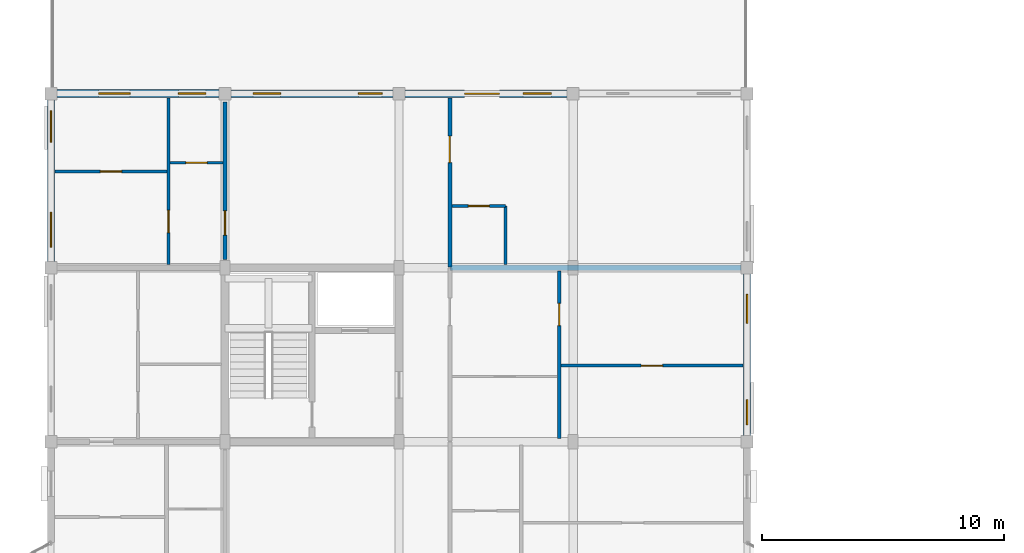
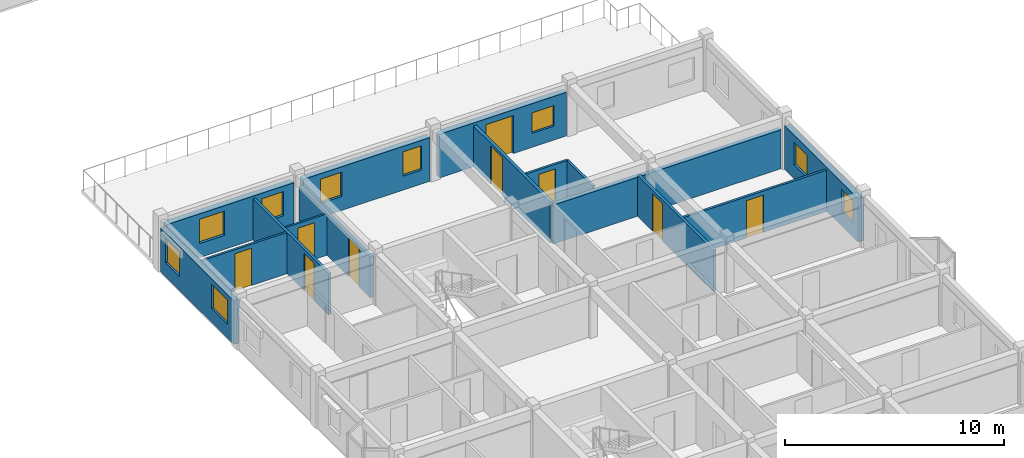
# One storey, part 49 of 70: 15 walls, 9 doors, 9 windows, 18 openings.
"""IFC4 building model written with IfcOpenShell, lengths in metres."""

from ifc_helpers import new_model, si_unit, direction, frame, frame_2d, origin, place, context, subcontext, project, spatial, rectangle, extrude, material, layer, layer_set, type_object, element, fill, save


model = new_model("IFC4")

# Units and contexts
model_context = context("Model", 3, precision=1e-05, world=origin(), true_north=direction((0.0, 1.0)))
body_context = subcontext(model_context, "Body", "Model", "MODEL_VIEW")
ifc_project = project(units=[si_unit("LENGTHUNIT", "METRE"), si_unit("AREAUNIT", "SQUARE_METRE"), si_unit("VOLUMEUNIT", "CUBIC_METRE"), si_unit("PLANEANGLEUNIT", "RADIAN"), si_unit("MASSUNIT", "GRAM", prefix="KILO"), si_unit("THERMODYNAMICTEMPERATUREUNIT", "KELVIN"), si_unit("POWERUNIT", "WATT")], contexts=[model_context])

# Site, building, storey
site_placement = place(None, origin())
site = spatial("IfcSite", under=ifc_project, at=site_placement, CompositionType="ELEMENT")
building_placement = place(site_placement, origin())
building = spatial("IfcBuilding", under=site, at=building_placement, Name="Tavuni Mirador Residences", CompositionType="ELEMENT")
storey_placement = place(building_placement, frame((0.0, 0.0, 23.39990234375)))
storey = spatial("IfcBuildingStorey", under=building, at=storey_placement, Name="L07", CompositionType="ELEMENT", Elevation=23.39990234375)

# Wall, opening, door
ifc_material_1 = material(Name="Precast concrete C40/50", Category="concrete")
ifc_layer_1 = layer(ifc_material_1, 0.1650390625, Name="Precast concrete C40/50", Category="concrete")
ifc_layer_set_1 = layer_set([ifc_layer_1], Name="Precast concrete C40/50")
wall_type_1 = type_object("IfcWallType", Name="WT-CORR165", PredefinedType="PARTITIONING", material=ifc_layer_set_1)
wall_1_placement = place(storey_placement, frame((20.10009765625, 36.02001953125, 0.0), z_axis=(0.0, 0.0, 1.0), x_axis=(0.0, 1.0, 0.0)))
wall_1 = element("IfcWall", 1, at=wall_1_placement, inside=storey, type_object=wall_type_1, Name="CORW-BLK-A-L07-0-04", PredefinedType="PARTITIONING", context=body_context, shape_type="SweptSolid", body=[
    extrude(rectangle(XDim=7.0048828125, YDim=0.1650390625, at=frame_2d((3.50244140625, 0.0))), origin(), (0.0, 0.0, 1.0), 2.30517578125),
])
opening_1_placement = place(wall_1_placement, frame((4.330078125, 0.0, 0.0)))
opening_1 = element("IfcOpeningElement", 2, at=opening_1_placement, cuts=wall_1, Name="Opening D-02", PredefinedType="OPENING", context=body_context, shape_type="SweptSolid", body=[
    extrude(rectangle(XDim=1.10009765625, YDim=2.14990234375, at=frame_2d((0.550048828125, 1.074951171875))), frame((0.0, 0.092529296875, 0.0), z_axis=(0.0, -1.0, 0.0), x_axis=(1.0, 0.0, 0.0)), (0.0, 0.0, 1.0), 0.18505859375),
])
ifc_material_2 = material(Name="Solid core iroko timber", Category="wood")
door_type_1 = type_object("IfcDoorType", Name="DT-LOB1100", OperationType="NOTDEFINED", PredefinedType="DOOR", material=ifc_material_2)
door_1_placement = place(opening_1_placement, origin())
door_1 = element("IfcDoor", 3, at=door_1_placement, inside=storey, type_object=door_type_1, Name="DR-2457", OperationType="SINGLE_SWING_RIGHT", OverallHeight=2.14990234375, OverallWidth=1.10009765625, PredefinedType="DOOR", context=body_context, shape_type="SweptSolid", body=[
    extrude(rectangle(XDim=1.10009765625, YDim=2.14990234375, at=frame_2d((0.550048828125, 1.074951171875))), frame((0.0, 0.02490234375, 0.0), z_axis=(0.0, -1.0, 0.0), x_axis=(1.0, 0.0, 0.0)), (0.0, 0.0, 1.0), 0.050048828125),
])
fill(opening_1, door_1)

wall_2_placement = place(storey_placement, frame((10.800048828125, 36.35009765625, 0.0), z_axis=(0.0, 0.0, 1.0), x_axis=(0.0, 1.0, 0.0)))
wall_2 = element("IfcWall", 4, at=wall_2_placement, inside=storey, type_object=wall_type_1, Name="CORW-BLK-A-L07-1-04", PredefinedType="PARTITIONING", context=body_context, shape_type="SweptSolid", body=[
    extrude(rectangle(XDim=6.5, YDim=0.1650390625, at=frame_2d((3.25, 0.0))), origin(), (0.0, 0.0, 1.0), 2.30517578125),
])
opening_2_placement = place(wall_2_placement, frame((1.0, 0.0, 0.0)))
opening_2 = element("IfcOpeningElement", 5, at=opening_2_placement, cuts=wall_2, Name="Opening D-03", PredefinedType="OPENING", context=body_context, shape_type="SweptSolid", body=[
    extrude(rectangle(XDim=1.0, YDim=2.14990234375, at=frame_2d((0.5, 1.074951171875))), frame((0.0, 0.092529296875, 0.0), z_axis=(0.0, -1.0, 0.0), x_axis=(1.0, 0.0, 0.0)), (0.0, 0.0, 1.0), 0.18505859375),
])
door_type_2 = type_object("IfcDoorType", Name="DT-FD60-1000", OperationType="NOTDEFINED", PredefinedType="DOOR", material=ifc_material_2)
door_2_placement = place(opening_2_placement, origin())
door_2 = element("IfcDoor", 6, at=door_2_placement, inside=storey, type_object=door_type_2, Name="DR-2460", OperationType="SINGLE_SWING_LEFT", OverallHeight=2.14990234375, OverallWidth=1.0, PredefinedType="DOOR", context=body_context, shape_type="SweptSolid", body=[
    extrude(rectangle(XDim=1.0, YDim=2.14990234375, at=frame_2d((0.5, 1.074951171875))), frame((0.0, 0.02490234375, 0.0), z_axis=(0.0, -1.0, 0.0), x_axis=(1.0, 0.0, 0.0)), (0.0, 0.0, 1.0), 0.050048828125),
])
fill(opening_2, door_2)

# Wall, openings, windows
ifc_layer_2 = layer(ifc_material_1, 0.330078125, Name="Precast concrete C40/50", Category="concrete")
ifc_layer_set_2 = layer_set([ifc_layer_2], Name="Precast concrete C40/50")
wall_type_2 = type_object("IfcWallType", Name="WT-EXT-COR330", PredefinedType="SOLIDWALL", material=ifc_layer_set_2)
wall_3_placement = place(storey_placement, frame((10.550048828125, 43.199951171875, 0.0), z_axis=(0.0, 0.0, 1.0), x_axis=(-1.0, 0.0, 0.0)))
wall_3 = element("IfcWall", 7, at=wall_3_placement, inside=storey, type_object=wall_type_2, Name="EW-BLK-A-L07-N00", PredefinedType="SOLIDWALL", context=body_context, shape_type="SweptSolid", body=[
    extrude(rectangle(XDim=6.699951171875, YDim=0.330078125, at=frame_2d((3.35009765625, 0.0))), origin(), (0.0, 0.0, 1.0), 2.440185546875),
])
opening_3_placement = place(wall_3_placement, frame((0.544921875, 0.0, 0.780029296875)))
opening_3 = element("IfcOpeningElement", 8, at=opening_3_placement, cuts=wall_3, Name="Opening WN-20", PredefinedType="OPENING", context=body_context, shape_type="SweptSolid", body=[
    extrude(rectangle(XDim=1.139892578125, YDim=1.360107421875, at=frame_2d((0.56982421875, 0.68017578125))), frame((0.0, 0.175048828125, 0.0), z_axis=(0.0, -1.0, 0.0), x_axis=(1.0, 0.0, 0.0)), (0.0, 0.0, 1.0), 0.35009765625),
])
opening_4_placement = place(wall_3_placement, frame((3.675048828125, 0.0, 0.780029296875)))
opening_4 = element("IfcOpeningElement", 9, at=opening_4_placement, cuts=wall_3, Name="Opening WN-22", PredefinedType="OPENING", context=body_context, shape_type="SweptSolid", body=[
    extrude(rectangle(XDim=1.300048828125, YDim=1.360107421875, at=frame_2d((0.64990234375, 0.68017578125))), frame((0.0, 0.175048828125, 0.0), z_axis=(0.0, -1.0, 0.0), x_axis=(1.0, 0.0, 0.0)), (0.0, 0.0, 1.0), 0.35009765625),
])
ifc_material_3 = material(Name="Laminated solar-control glass", Category="glass")
window_type_1 = type_object("IfcWindowType", Name="WNT-20", PartitioningType="SINGLE_PANEL", PredefinedType="WINDOW", material=ifc_material_3)
window_1_placement = place(opening_3_placement, origin())
window_1 = element("IfcWindow", 10, at=window_1_placement, inside=storey, type_object=window_type_1, Name="WIN-0282", OverallHeight=1.360107421875, OverallWidth=1.139892578125, PartitioningType="SINGLE_PANEL", PredefinedType="WINDOW", context=body_context, shape_type="SweptSolid", body=[
    extrude(rectangle(XDim=1.139892578125, YDim=1.360107421875, at=frame_2d((0.56982421875, 0.68017578125))), frame((0.0, 0.030029296875, 0.0), z_axis=(0.0, -1.0, 0.0), x_axis=(1.0, 0.0, 0.0)), (0.0, 0.0, 1.0), 0.06005859375),
])
fill(opening_3, window_1)
window_type_2 = type_object("IfcWindowType", Name="WNT-22", PartitioningType="SINGLE_PANEL", PredefinedType="WINDOW", material=ifc_material_3)
window_2_placement = place(opening_4_placement, origin())
window_2 = element("IfcWindow", 11, at=window_2_placement, inside=storey, type_object=window_type_2, Name="WIN-0283", OverallHeight=1.360107421875, OverallWidth=1.300048828125, PartitioningType="SINGLE_PANEL", PredefinedType="WINDOW", context=body_context, shape_type="SweptSolid", body=[
    extrude(rectangle(XDim=1.300048828125, YDim=1.360107421875, at=frame_2d((0.64990234375, 0.68017578125))), frame((0.0, 0.030029296875, 0.0), z_axis=(0.0, -1.0, 0.0), x_axis=(1.0, 0.0, 0.0)), (0.0, 0.0, 1.0), 0.06005859375),
])
fill(opening_4, window_2)

ifc_material_4 = material(Name="Sgraffito lime-rendered precast concrete C40/50", Category="concrete")
ifc_layer_3 = layer(ifc_material_4, 0.27490234375, Name="Sgraffito lime-rendered precast concrete C40/50", Category="concrete")
ifc_layer_set_3 = layer_set([ifc_layer_3], Name="Sgraffito lime-rendered precast concrete C40/50")
wall_type_3 = type_object("IfcWallType", Name="WT-EXT-PC275", PredefinedType="SOLIDWALL", material=ifc_layer_set_3)
wall_4_placement = place(storey_placement, frame((3.60009765625, 42.949951171875, 0.0), z_axis=(0.0, 0.0, 1.0), x_axis=(0.0, -1.0, 0.0)))
wall_4 = element("IfcWall", 12, at=wall_4_placement, inside=storey, type_object=wall_type_3, Name="EW-BLK-A-L07-W04", PredefinedType="SOLIDWALL", context=body_context, shape_type="SweptSolid", body=[
    extrude(rectangle(XDim=6.699951171875, YDim=0.27490234375, at=frame_2d((3.35009765625, 0.0))), origin(), (0.0, 0.0, 1.0), 2.440185546875),
])
opening_5_placement = place(wall_4_placement, frame((0.449951171875, 0.0, 0.780029296875)))
opening_5 = element("IfcOpeningElement", 13, at=opening_5_placement, cuts=wall_4, Name="Opening WN-22", PredefinedType="OPENING", context=body_context, shape_type="SweptSolid", body=[
    extrude(rectangle(XDim=1.300048828125, YDim=1.360107421875, at=frame_2d((0.64990234375, 0.68017578125))), frame((0.0, 0.1474609375, 0.0), z_axis=(0.0, -1.0, 0.0), x_axis=(1.0, 0.0, 0.0)), (0.0, 0.0, 1.0), 0.294921875),
])
opening_6_placement = place(wall_4_placement, frame((4.64990234375, 0.0, 0.780029296875)))
opening_6 = element("IfcOpeningElement", 14, at=opening_6_placement, cuts=wall_4, Name="Opening WN-24", PredefinedType="OPENING", context=body_context, shape_type="SweptSolid", body=[
    extrude(rectangle(XDim=1.4599609375, YDim=1.360107421875, at=frame_2d((0.72998046875, 0.68017578125))), frame((0.0, 0.1474609375, 0.0), z_axis=(0.0, -1.0, 0.0), x_axis=(1.0, 0.0, 0.0)), (0.0, 0.0, 1.0), 0.294921875),
])
window_3_placement = place(opening_5_placement, origin())
window_3 = element("IfcWindow", 15, at=window_3_placement, inside=storey, type_object=window_type_2, Name="WIN-0284", OverallHeight=1.360107421875, OverallWidth=1.300048828125, PartitioningType="SINGLE_PANEL", PredefinedType="WINDOW", context=body_context, shape_type="SweptSolid", body=[
    extrude(rectangle(XDim=1.300048828125, YDim=1.360107421875, at=frame_2d((0.64990234375, 0.68017578125))), frame((0.0, 0.030029296875, 0.0), z_axis=(0.0, -1.0, 0.0), x_axis=(1.0, 0.0, 0.0)), (0.0, 0.0, 1.0), 0.06005859375),
])
fill(opening_5, window_3)
window_type_3 = type_object("IfcWindowType", Name="WNT-24", PartitioningType="SINGLE_PANEL", PredefinedType="WINDOW", material=ifc_material_3)
window_4_placement = place(opening_6_placement, origin())
window_4 = element("IfcWindow", 16, at=window_4_placement, inside=storey, type_object=window_type_3, Name="WIN-0285", OverallHeight=1.360107421875, OverallWidth=1.4599609375, PartitioningType="SINGLE_PANEL", PredefinedType="WINDOW", context=body_context, shape_type="SweptSolid", body=[
    extrude(rectangle(XDim=1.4599609375, YDim=1.360107421875, at=frame_2d((0.72998046875, 0.68017578125))), frame((0.0, 0.030029296875, 0.0), z_axis=(0.0, -1.0, 0.0), x_axis=(1.0, 0.0, 0.0)), (0.0, 0.0, 1.0), 0.06005859375),
])
fill(opening_6, window_4)

ifc_layer_4 = layer(ifc_material_4, 0.2900390625, Name="Sgraffito lime-rendered precast concrete C40/50", Category="concrete")
ifc_layer_set_4 = layer_set([ifc_layer_4], Name="Sgraffito lime-rendered precast concrete C40/50")
wall_type_4 = type_object("IfcWallType", Name="WT-EXT-PC290", PredefinedType="SOLIDWALL", material=ifc_layer_set_4)
wall_5_placement = place(storey_placement, frame((32.39990234375, 29.050048828125, 0.0), z_axis=(0.0, 0.0, 1.0), x_axis=(0.0, 1.0, 0.0)))
wall_5 = element("IfcWall", 17, at=wall_5_placement, inside=storey, type_object=wall_type_4, Name="EW-BLK-A-L07-E03", PredefinedType="SOLIDWALL", context=body_context, shape_type="SweptSolid", body=[
    extrude(rectangle(XDim=6.699951171875, YDim=0.2900390625, at=frame_2d((3.35009765625, 0.0))), origin(), (0.0, 0.0, 1.0), 2.440185546875),
])
opening_7_placement = place(wall_5_placement, frame((0.449951171875, 0.0, 0.780029296875)))
opening_7 = element("IfcOpeningElement", 18, at=opening_7_placement, cuts=wall_5, Name="Opening WN-11", PredefinedType="OPENING", context=body_context, shape_type="SweptSolid", body=[
    extrude(rectangle(XDim=1.0400390625, YDim=1.260009765625, at=frame_2d((0.52001953125, 0.6298828125))), frame((0.0, 0.155029296875, 0.0), z_axis=(0.0, -1.0, 0.0), x_axis=(1.0, 0.0, 0.0)), (0.0, 0.0, 1.0), 0.31005859375),
])
opening_8_placement = place(wall_5_placement, frame((4.64990234375, 0.0, 0.780029296875)))
opening_8 = element("IfcOpeningElement", 19, at=opening_8_placement, cuts=wall_5, Name="Opening WN-13", PredefinedType="OPENING", context=body_context, shape_type="SweptSolid", body=[
    extrude(rectangle(XDim=1.199951171875, YDim=1.260009765625, at=frame_2d((0.60009765625, 0.6298828125))), frame((0.0, 0.155029296875, 0.0), z_axis=(0.0, -1.0, 0.0), x_axis=(1.0, 0.0, 0.0)), (0.0, 0.0, 1.0), 0.31005859375),
])
window_type_4 = type_object("IfcWindowType", Name="WNT-11", PartitioningType="SINGLE_PANEL", PredefinedType="WINDOW", material=ifc_material_3)
window_5_placement = place(opening_7_placement, origin())
window_5 = element("IfcWindow", 20, at=window_5_placement, inside=storey, type_object=window_type_4, Name="WIN-0273", OverallHeight=1.260009765625, OverallWidth=1.0400390625, PartitioningType="SINGLE_PANEL", PredefinedType="WINDOW", context=body_context, shape_type="SweptSolid", body=[
    extrude(rectangle(XDim=1.0400390625, YDim=1.260009765625, at=frame_2d((0.52001953125, 0.6298828125))), frame((0.0, 0.030029296875, 0.0), z_axis=(0.0, -1.0, 0.0), x_axis=(1.0, 0.0, 0.0)), (0.0, 0.0, 1.0), 0.06005859375),
])
fill(opening_7, window_5)
window_type_5 = type_object("IfcWindowType", Name="WNT-13", PartitioningType="SINGLE_PANEL", PredefinedType="WINDOW", material=ifc_material_3)
window_6_placement = place(opening_8_placement, origin())
window_6 = element("IfcWindow", 21, at=window_6_placement, inside=storey, type_object=window_type_5, Name="WIN-0274", OverallHeight=1.260009765625, OverallWidth=1.199951171875, PartitioningType="SINGLE_PANEL", PredefinedType="WINDOW", context=body_context, shape_type="SweptSolid", body=[
    extrude(rectangle(XDim=1.199951171875, YDim=1.260009765625, at=frame_2d((0.60009765625, 0.6298828125))), frame((0.0, 0.030029296875, 0.0), z_axis=(0.0, -1.0, 0.0), x_axis=(1.0, 0.0, 0.0)), (0.0, 0.0, 1.0), 0.06005859375),
])
fill(opening_8, window_6)

# Wall, openings, door, window
ifc_layer_5 = layer(ifc_material_4, 0.304931640625, Name="Sgraffito lime-rendered precast concrete C40/50", Category="concrete")
ifc_layer_set_5 = layer_set([ifc_layer_5], Name="Sgraffito lime-rendered precast concrete C40/50")
wall_type_5 = type_object("IfcWallType", Name="WT-EXT-PC305", PredefinedType="SOLIDWALL", material=ifc_layer_set_5)
wall_6_placement = place(storey_placement, frame((24.949951171875, 43.199951171875, 0.0), z_axis=(0.0, 0.0, 1.0), x_axis=(-1.0, 0.0, 0.0)))
wall_6 = element("IfcWall", 22, at=wall_6_placement, inside=storey, type_object=wall_type_5, Name="EW-BLK-A-L07-N02", PredefinedType="SOLIDWALL", context=body_context, shape_type="SweptSolid", body=[
    extrude(rectangle(XDim=6.699951171875, YDim=0.304931640625, at=frame_2d((3.35009765625, 0.0))), origin(), (0.0, 0.0, 1.0), 2.440185546875),
])
opening_9_placement = place(wall_6_placement, frame((2.800048828125, 0.0, 0.0)))
opening_9 = element("IfcOpeningElement", 23, at=opening_9_placement, cuts=wall_6, Name="Opening TD-05", PredefinedType="OPENING", context=body_context, shape_type="SweptSolid", body=[
    extrude(rectangle(XDim=1.43994140625, YDim=2.1201171875, at=frame_2d((0.719970703125, 1.06005859375))), frame((0.0, 0.16259765625, 0.0), z_axis=(0.0, -1.0, 0.0), x_axis=(1.0, 0.0, 0.0)), (0.0, 0.0, 1.0), 0.324951171875),
])
opening_10_placement = place(wall_6_placement, frame((0.64990234375, 0.0, 0.780029296875)))
opening_10 = element("IfcOpeningElement", 24, at=opening_10_placement, cuts=wall_6, Name="Opening WN-05", PredefinedType="OPENING", context=body_context, shape_type="SweptSolid", body=[
    extrude(rectangle(XDim=1.159912109375, YDim=1.14990234375, at=frame_2d((0.580078125, 0.574951171875))), frame((0.0, 0.16259765625, 0.0), z_axis=(0.0, -1.0, 0.0), x_axis=(1.0, 0.0, 0.0)), (0.0, 0.0, 1.0), 0.324951171875),
])
ifc_material_5 = material(Name="Anodised aluminium", Category="aluminium")
door_type_3 = type_object("IfcDoorType", Name="DT-TER1440", OperationType="NOTDEFINED", PredefinedType="DOOR", material=ifc_material_5)
door_3_placement = place(opening_9_placement, frame((1.43994140625, 0.0, 0.0), z_axis=(0.0, 0.0, 1.0), x_axis=(-1.0, 0.0, 0.0)))
door_3 = element("IfcDoor", 25, at=door_3_placement, inside=storey, type_object=door_type_3, Name="DR-0004", OperationType="SINGLE_SWING_LEFT", OverallHeight=2.1201171875, OverallWidth=1.43994140625, PredefinedType="DOOR", context=body_context, shape_type="SweptSolid", body=[
    extrude(rectangle(XDim=1.43994140625, YDim=2.1201171875, at=frame_2d((0.719970703125, 1.06005859375))), frame((0.0, 0.02490234375, 0.0), z_axis=(0.0, -1.0, 0.0), x_axis=(1.0, 0.0, 0.0)), (0.0, 0.0, 1.0), 0.050048828125),
])
fill(opening_9, door_3)
window_type_6 = type_object("IfcWindowType", Name="WNT-05", PartitioningType="SINGLE_PANEL", PredefinedType="WINDOW", material=ifc_material_3)
window_7_placement = place(opening_10_placement, origin())
window_7 = element("IfcWindow", 26, at=window_7_placement, inside=storey, type_object=window_type_6, Name="WIN-0279", OverallHeight=1.14990234375, OverallWidth=1.159912109375, PartitioningType="SINGLE_PANEL", PredefinedType="WINDOW", context=body_context, shape_type="SweptSolid", body=[
    extrude(rectangle(XDim=1.159912109375, YDim=1.14990234375, at=frame_2d((0.580078125, 0.574951171875))), frame((0.0, 0.030029296875, 0.0), z_axis=(0.0, -1.0, 0.0), x_axis=(1.0, 0.0, 0.0)), (0.0, 0.0, 1.0), 0.06005859375),
])
fill(opening_10, window_7)

# Wall, openings, windows
ifc_layer_6 = layer(ifc_material_4, 0.31494140625, Name="Sgraffito lime-rendered precast concrete C40/50", Category="concrete")
ifc_layer_set_6 = layer_set([ifc_layer_6], Name="Sgraffito lime-rendered precast concrete C40/50")
wall_type_6 = type_object("IfcWallType", Name="WT-EXT-PC315", PredefinedType="SOLIDWALL", material=ifc_layer_set_6)
wall_7_placement = place(storey_placement, frame((17.75, 43.199951171875, 0.0), z_axis=(0.0, 0.0, 1.0), x_axis=(-1.0, 0.0, 0.0)))
wall_7 = element("IfcWall", 27, at=wall_7_placement, inside=storey, type_object=wall_type_6, Name="EW-BLK-A-L07-N01", PredefinedType="SOLIDWALL", context=body_context, shape_type="SweptSolid", body=[
    extrude(rectangle(XDim=6.699951171875, YDim=0.31494140625, at=frame_2d((3.35009765625, 0.0))), origin(), (0.0, 0.0, 1.0), 2.440185546875),
])
opening_11_placement = place(wall_7_placement, frame((0.449951171875, 0.0, 0.780029296875)))
opening_11 = element("IfcOpeningElement", 28, at=opening_11_placement, cuts=wall_7, Name="Opening WN-18", PredefinedType="OPENING", context=body_context, shape_type="SweptSolid", body=[
    extrude(rectangle(XDim=0.97998046875, YDim=1.360107421875, at=frame_2d((0.489990234375, 0.68017578125))), frame((0.0, 0.16748046875, 0.0), z_axis=(0.0, -1.0, 0.0), x_axis=(1.0, 0.0, 0.0)), (0.0, 0.0, 1.0), 0.3349609375),
])
opening_12_placement = place(wall_7_placement, frame((4.64990234375, 0.0, 0.780029296875)))
opening_12 = element("IfcOpeningElement", 29, at=opening_12_placement, cuts=wall_7, Name="Opening WN-20", PredefinedType="OPENING", context=body_context, shape_type="SweptSolid", body=[
    extrude(rectangle(XDim=1.139892578125, YDim=1.360107421875, at=frame_2d((0.56982421875, 0.68017578125))), frame((0.0, 0.16748046875, 0.0), z_axis=(0.0, -1.0, 0.0), x_axis=(1.0, 0.0, 0.0)), (0.0, 0.0, 1.0), 0.3349609375),
])
window_type_7 = type_object("IfcWindowType", Name="WNT-18", PartitioningType="SINGLE_PANEL", PredefinedType="WINDOW", material=ifc_material_3)
window_8_placement = place(opening_11_placement, origin())
window_8 = element("IfcWindow", 30, at=window_8_placement, inside=storey, type_object=window_type_7, Name="WIN-0280", OverallHeight=1.360107421875, OverallWidth=0.97998046875, PartitioningType="SINGLE_PANEL", PredefinedType="WINDOW", context=body_context, shape_type="SweptSolid", body=[
    extrude(rectangle(XDim=0.97998046875, YDim=1.360107421875, at=frame_2d((0.489990234375, 0.68017578125))), frame((0.0, 0.030029296875, 0.0), z_axis=(0.0, -1.0, 0.0), x_axis=(1.0, 0.0, 0.0)), (0.0, 0.0, 1.0), 0.06005859375),
])
fill(opening_11, window_8)
window_9_placement = place(opening_12_placement, origin())
window_9 = element("IfcWindow", 31, at=window_9_placement, inside=storey, type_object=window_type_1, Name="WIN-0281", OverallHeight=1.360107421875, OverallWidth=1.139892578125, PartitioningType="SINGLE_PANEL", PredefinedType="WINDOW", context=body_context, shape_type="SweptSolid", body=[
    extrude(rectangle(XDim=1.139892578125, YDim=1.360107421875, at=frame_2d((0.56982421875, 0.68017578125))), frame((0.0, 0.030029296875, 0.0), z_axis=(0.0, -1.0, 0.0), x_axis=(1.0, 0.0, 0.0)), (0.0, 0.0, 1.0), 0.06005859375),
])
fill(opening_12, window_9)

# Wall, opening, door
ifc_material_6 = material(Name="Acoustic gypsum and concrete block partition", Category="concrete")
ifc_layer_7 = layer(ifc_material_6, 0.10498046875, Name="Acoustic gypsum and concrete block partition", Category="concrete")
ifc_layer_set_7 = layer_set([ifc_layer_7], Name="Acoustic gypsum and concrete block partition")
wall_type_7 = type_object("IfcWallType", Name="WT-PART105", PredefinedType="PARTITIONING", material=ifc_layer_set_7)
wall_8_placement = place(storey_placement, frame((8.530029296875, 40.340087890625, 0.0), z_axis=(0.0, 0.0, 1.0), x_axis=(1.0, 0.0, 0.0)))
wall_8 = element("IfcWall", 32, at=wall_8_placement, inside=storey, type_object=wall_type_7, Name="PW-BLK-A-L07-W04-IN1", PredefinedType="PARTITIONING", context=body_context, shape_type="SweptSolid", body=[
    extrude(rectangle(XDim=2.179931640625, YDim=0.10498046875, at=frame_2d((1.08984375, 0.0))), origin(), (0.0, 0.0, 1.0), 2.30517578125),
])
opening_13_placement = place(wall_8_placement, frame((0.655029296875, 0.0, 0.0)))
opening_13 = element("IfcOpeningElement", 33, at=opening_13_placement, cuts=wall_8, Name="Opening D-10", PredefinedType="OPENING", context=body_context, shape_type="SweptSolid", body=[
    extrude(rectangle(XDim=0.8701171875, YDim=2.050048828125, at=frame_2d((0.43505859375, 1.02490234375))), frame((0.0, 0.0625, 0.0), z_axis=(0.0, -1.0, 0.0), x_axis=(1.0, 0.0, 0.0)), (0.0, 0.0, 1.0), 0.125),
])
door_type_4 = type_object("IfcDoorType", Name="DT-WC870", OperationType="NOTDEFINED", PredefinedType="DOOR", material=ifc_material_2)
door_4_placement = place(opening_13_placement, origin())
door_4 = element("IfcDoor", 34, at=door_4_placement, inside=storey, type_object=door_type_4, Name="DR-3194", OperationType="SINGLE_SWING_LEFT", OverallHeight=2.050048828125, OverallWidth=0.8701171875, PredefinedType="DOOR", context=body_context, shape_type="SweptSolid", body=[
    extrude(rectangle(XDim=0.8701171875, YDim=2.050048828125, at=frame_2d((0.43505859375, 1.02490234375))), frame((0.0, 0.02490234375, 0.0), z_axis=(0.0, -1.0, 0.0), x_axis=(1.0, 0.0, 0.0)), (0.0, 0.0, 1.0), 0.050048828125),
])
fill(opening_13, door_4)

ifc_layer_8 = layer(ifc_material_6, 0.114990234375, Name="Acoustic gypsum and concrete block partition", Category="concrete")
ifc_layer_set_8 = layer_set([ifc_layer_8], Name="Acoustic gypsum and concrete block partition")
wall_type_8 = type_object("IfcWallType", Name="WT-PART115", PredefinedType="PARTITIONING", material=ifc_layer_set_8)
wall_9_placement = place(storey_placement, frame((3.77490234375, 39.97998046875, 0.0), z_axis=(0.0, 0.0, 1.0), x_axis=(1.0, 0.0, 0.0)))
wall_9 = element("IfcWall", 35, at=wall_9_placement, inside=storey, type_object=wall_type_8, Name="PW-BLK-A-L07-W04-OUT", PredefinedType="PARTITIONING", context=body_context, shape_type="SweptSolid", body=[
    extrude(rectangle(XDim=4.614990234375, YDim=0.114990234375, at=frame_2d((2.3076171875, 0.0))), origin(), (0.0, 0.0, 1.0), 2.30517578125),
])
opening_14_placement = place(wall_9_placement, frame((1.867431640625, 0.0, 0.0)))
opening_14 = element("IfcOpeningElement", 36, at=opening_14_placement, cuts=wall_9, Name="Opening D-08", PredefinedType="OPENING", context=body_context, shape_type="SweptSolid", body=[
    extrude(rectangle(XDim=0.8798828125, YDim=2.080078125, at=frame_2d((0.43994140625, 1.0400390625))), frame((0.0, 0.0673828125, 0.0), z_axis=(0.0, -1.0, 0.0), x_axis=(1.0, 0.0, 0.0)), (0.0, 0.0, 1.0), 0.135009765625),
])
door_type_5 = type_object("IfcDoorType", Name="DT-BED880", OperationType="NOTDEFINED", PredefinedType="DOOR", material=ifc_material_2)
door_5_placement = place(opening_14_placement, origin())
door_5 = element("IfcDoor", 37, at=door_5_placement, inside=storey, type_object=door_type_5, Name="DR-3193", OperationType="SINGLE_SWING_RIGHT", OverallHeight=2.080078125, OverallWidth=0.8798828125, PredefinedType="DOOR", context=body_context, shape_type="SweptSolid", body=[
    extrude(rectangle(XDim=0.8798828125, YDim=2.080078125, at=frame_2d((0.43994140625, 1.0400390625))), frame((0.0, 0.02490234375, 0.0), z_axis=(0.0, -1.0, 0.0), x_axis=(1.0, 0.0, 0.0)), (0.0, 0.0, 1.0), 0.050048828125),
])
fill(opening_14, door_5)

wall_10_placement = place(storey_placement, frame((20.18994140625, 38.550048828125, 0.0), z_axis=(0.0, 0.0, 1.0), x_axis=(1.0, 0.0, 0.0)))
wall_10 = element("IfcWall", 38, at=wall_10_placement, inside=storey, type_object=wall_type_8, Name="PW-BLK-A-L07-E04-2", PredefinedType="PARTITIONING", context=body_context, shape_type="SweptSolid", body=[
    extrude(rectangle(XDim=2.2099609375, YDim=0.114990234375, at=frame_2d((1.10498046875, 0.0))), origin(), (0.0, 0.0, 1.0), 2.30517578125),
])
opening_15_placement = place(wall_10_placement, frame((0.679931640625, 0.0, 0.0)))
opening_15 = element("IfcOpeningElement", 39, at=opening_15_placement, cuts=wall_10, Name="Opening D-10", PredefinedType="OPENING", context=body_context, shape_type="SweptSolid", body=[
    extrude(rectangle(XDim=0.8701171875, YDim=2.050048828125, at=frame_2d((0.43505859375, 1.02490234375))), frame((0.0, 0.0673828125, 0.0), z_axis=(0.0, -1.0, 0.0), x_axis=(1.0, 0.0, 0.0)), (0.0, 0.0, 1.0), 0.135009765625),
])
door_6_placement = place(opening_15_placement, origin())
door_6 = element("IfcDoor", 40, at=door_6_placement, inside=storey, type_object=door_type_4, Name="DR-3196", OperationType="SINGLE_SWING_LEFT", OverallHeight=2.050048828125, OverallWidth=0.8701171875, PredefinedType="DOOR", context=body_context, shape_type="SweptSolid", body=[
    extrude(rectangle(XDim=0.8701171875, YDim=2.050048828125, at=frame_2d((0.43505859375, 1.02490234375))), frame((0.0, 0.02490234375, 0.0), z_axis=(0.0, -1.0, 0.0), x_axis=(1.0, 0.0, 0.0)), (0.0, 0.0, 1.0), 0.050048828125),
])
fill(opening_15, door_6)

ifc_layer_9 = layer(ifc_material_6, 0.125, Name="Acoustic gypsum and concrete block partition", Category="concrete")
ifc_layer_set_9 = layer_set([ifc_layer_9], Name="Acoustic gypsum and concrete block partition")
wall_type_9 = type_object("IfcWallType", Name="WT-PART125", PredefinedType="PARTITIONING", material=ifc_layer_set_9)
wall_11_placement = place(storey_placement, frame((24.699951171875, 31.949951171875, 0.0), z_axis=(0.0, 0.0, 1.0), x_axis=(1.0, 0.0, 0.0)))
wall_11 = element("IfcWall", 41, at=wall_11_placement, inside=storey, type_object=wall_type_9, Name="PW-BLK-A-L07-E03-OUT", PredefinedType="PARTITIONING", context=body_context, shape_type="SweptSolid", body=[
    extrude(rectangle(XDim=7.525146484375, YDim=0.125, at=frame_2d((3.7626953125, 0.0))), origin(), (0.0, 0.0, 1.0), 2.30517578125),
])
opening_16_placement = place(wall_11_placement, frame((3.322509765625, 0.0, 0.0)))
opening_16 = element("IfcOpeningElement", 42, at=opening_16_placement, cuts=wall_11, Name="Opening D-08", PredefinedType="OPENING", context=body_context, shape_type="SweptSolid", body=[
    extrude(rectangle(XDim=0.8798828125, YDim=2.080078125, at=frame_2d((0.43994140625, 1.0400390625))), frame((0.0, 0.072509765625, 0.0), z_axis=(0.0, -1.0, 0.0), x_axis=(1.0, 0.0, 0.0)), (0.0, 0.0, 1.0), 0.14501953125),
])
door_7_placement = place(opening_16_placement, origin())
door_7 = element("IfcDoor", 43, at=door_7_placement, inside=storey, type_object=door_type_5, Name="DR-3190", OperationType="SINGLE_SWING_RIGHT", OverallHeight=2.080078125, OverallWidth=0.8798828125, PredefinedType="DOOR", context=body_context, shape_type="SweptSolid", body=[
    extrude(rectangle(XDim=0.8798828125, YDim=2.080078125, at=frame_2d((0.43994140625, 1.0400390625))), frame((0.0, 0.02490234375, 0.0), z_axis=(0.0, -1.0, 0.0), x_axis=(1.0, 0.0, 0.0)), (0.0, 0.0, 1.0), 0.050048828125),
])
fill(opening_16, door_7)

# Wall
wall_12_placement = place(storey_placement, frame((22.39990234375, 36.139892578125, 0.0), z_axis=(0.0, 0.0, 1.0), x_axis=(0.0, 1.0, 0.0)))
element("IfcWall", 44, at=wall_12_placement, inside=storey, type_object=wall_type_9, Name="PW-BLK-A-L07-E04-1", PredefinedType="PARTITIONING", context=body_context, shape_type="SweptSolid", body=[
    extrude(rectangle(XDim=2.41015625, YDim=0.125, at=frame_2d((1.205078125, 0.0))), origin(), (0.0, 0.0, 1.0), 2.30517578125),
])

# Wall, opening, door
ifc_layer_10 = layer(ifc_material_6, 0.139892578125, Name="Acoustic gypsum and concrete block partition", Category="concrete")
ifc_layer_set_10 = layer_set([ifc_layer_10], Name="Acoustic gypsum and concrete block partition")
wall_type_10 = type_object("IfcWallType", Name="WT-PART140", PredefinedType="PARTITIONING", material=ifc_layer_set_10)
wall_13_placement = place(storey_placement, frame((8.4599609375, 36.139892578125, 0.0), z_axis=(0.0, 0.0, 1.0), x_axis=(0.0, 1.0, 0.0)))
wall_13 = element("IfcWall", 45, at=wall_13_placement, inside=storey, type_object=wall_type_10, Name="PW-BLK-A-L07-W04-MID", PredefinedType="PARTITIONING", context=body_context, shape_type="SweptSolid", body=[
    extrude(rectangle(XDim=6.885009765625, YDim=0.139892578125, at=frame_2d((3.4423828125, 0.0))), origin(), (0.0, 0.0, 1.0), 2.30517578125),
])
opening_17_placement = place(wall_13_placement, frame((1.31005859375, 0.0, 0.0)))
opening_17 = element("IfcOpeningElement", 46, at=opening_17_placement, cuts=wall_13, Name="Opening D-06", PredefinedType="OPENING", context=body_context, shape_type="SweptSolid", body=[
    extrude(rectangle(XDim=0.919921875, YDim=2.10009765625, at=frame_2d((0.4599609375, 1.050048828125))), frame((0.0, 0.080078125, 0.0), z_axis=(0.0, -1.0, 0.0), x_axis=(1.0, 0.0, 0.0)), (0.0, 0.0, 1.0), 0.159912109375),
])
door_type_6 = type_object("IfcDoorType", Name="DT-INT920", OperationType="NOTDEFINED", PredefinedType="DOOR", material=ifc_material_2)
door_8_placement = place(opening_17_placement, origin())
door_8 = element("IfcDoor", 47, at=door_8_placement, inside=storey, type_object=door_type_6, Name="DR-3195", OperationType="SINGLE_SWING_RIGHT", OverallHeight=2.10009765625, OverallWidth=0.919921875, PredefinedType="DOOR", context=body_context, shape_type="SweptSolid", body=[
    extrude(rectangle(XDim=0.919921875, YDim=2.10009765625, at=frame_2d((0.4599609375, 1.050048828125))), frame((0.0, 0.02490234375, 0.0), z_axis=(0.0, -1.0, 0.0), x_axis=(1.0, 0.0, 0.0)), (0.0, 0.0, 1.0), 0.050048828125),
])
fill(opening_17, door_8)

ifc_layer_11 = layer(ifc_material_6, 0.14990234375, Name="Acoustic gypsum and concrete block partition", Category="concrete")
ifc_layer_set_11 = layer_set([ifc_layer_11], Name="Acoustic gypsum and concrete block partition")
wall_type_11 = type_object("IfcWallType", Name="WT-PART150", PredefinedType="PARTITIONING", material=ifc_layer_set_11)
wall_14_placement = place(storey_placement, frame((24.6298828125, 28.93994140625, 0.0), z_axis=(0.0, 0.0, 1.0), x_axis=(0.0, 1.0, 0.0)))
wall_14 = element("IfcWall", 48, at=wall_14_placement, inside=storey, type_object=wall_type_11, Name="PW-BLK-A-L07-E03-MID", PredefinedType="PARTITIONING", context=body_context, shape_type="SweptSolid", body=[
    extrude(rectangle(XDim=6.920166015625, YDim=0.14990234375, at=frame_2d((3.4599609375, 0.0))), origin(), (0.0, 0.0, 1.0), 2.30517578125),
])
opening_18_placement = place(wall_14_placement, frame((4.659912109375, 0.0, 0.0)))
opening_18 = element("IfcOpeningElement", 49, at=opening_18_placement, cuts=wall_14, Name="Opening D-06", PredefinedType="OPENING", context=body_context, shape_type="SweptSolid", body=[
    extrude(rectangle(XDim=0.919921875, YDim=2.10009765625, at=frame_2d((0.4599609375, 1.050048828125))), frame((0.0, 0.0849609375, 0.0), z_axis=(0.0, -1.0, 0.0), x_axis=(1.0, 0.0, 0.0)), (0.0, 0.0, 1.0), 0.169921875),
])
door_9_placement = place(opening_18_placement, origin())
door_9 = element("IfcDoor", 50, at=door_9_placement, inside=storey, type_object=door_type_6, Name="DR-3192", OperationType="SINGLE_SWING_RIGHT", OverallHeight=2.10009765625, OverallWidth=0.919921875, PredefinedType="DOOR", context=body_context, shape_type="SweptSolid", body=[
    extrude(rectangle(XDim=0.919921875, YDim=2.10009765625, at=frame_2d((0.4599609375, 1.050048828125))), frame((0.0, 0.02490234375, 0.0), z_axis=(0.0, -1.0, 0.0), x_axis=(1.0, 0.0, 0.0)), (0.0, 0.0, 1.0), 0.050048828125),
])
fill(opening_18, door_9)

# Wall
ifc_layer_12 = layer(ifc_material_1, 0.235107421875, Name="Precast concrete C40/50", Category="concrete")
ifc_layer_set_12 = layer_set([ifc_layer_12], Name="Precast concrete C40/50")
wall_type_12 = type_object("IfcWallType", Name="WT-XW235", PredefinedType="SOLIDWALL", material=ifc_layer_set_12)
wall_15_placement = place(storey_placement, frame((20.10009765625, 36.0, 0.0), z_axis=(0.0, 0.0, 1.0), x_axis=(1.0, 0.0, 0.0)))
element("IfcWall", 51, at=wall_15_placement, inside=storey, type_object=wall_type_12, Name="XW-BLK-A-L07-E-04", PredefinedType="SOLIDWALL", context=body_context, shape_type="SweptSolid", body=[
    extrude(rectangle(XDim=12.0498046875, YDim=0.235107421875, at=frame_2d((6.02490234375, 0.0))), origin(), (0.0, 0.0, 1.0), 2.170166015625),
])

save(model, "model.ifc")
